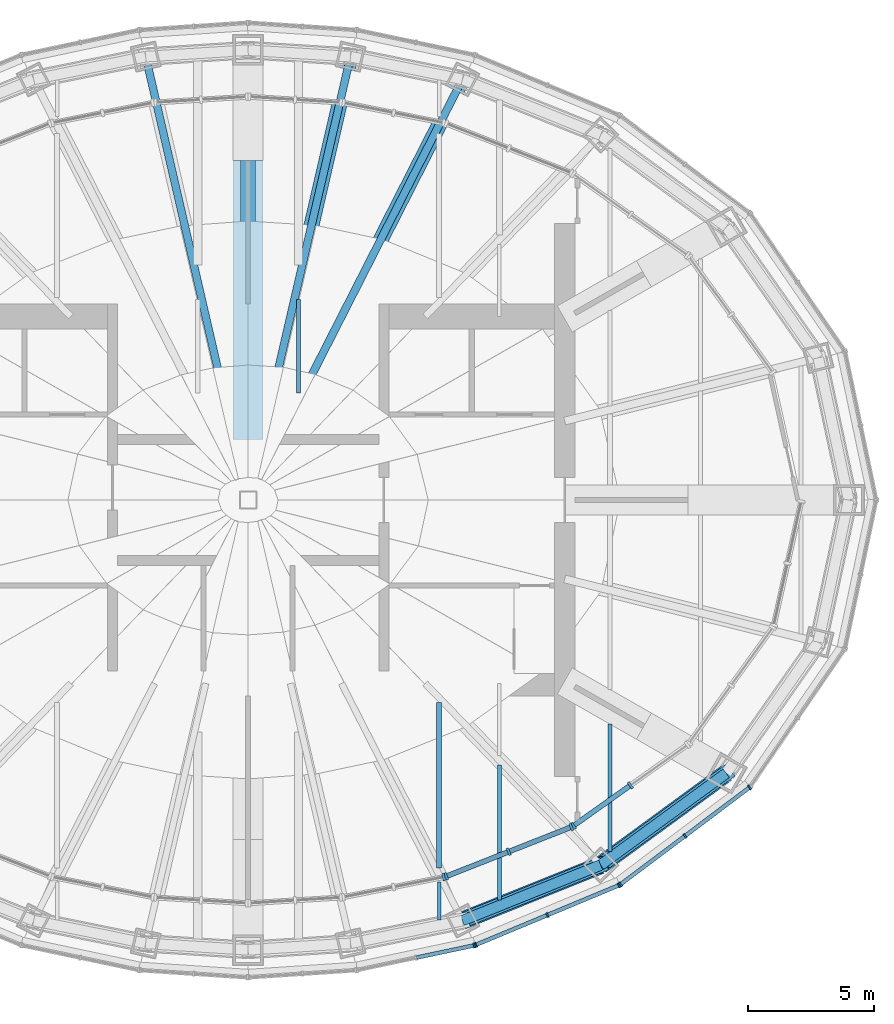
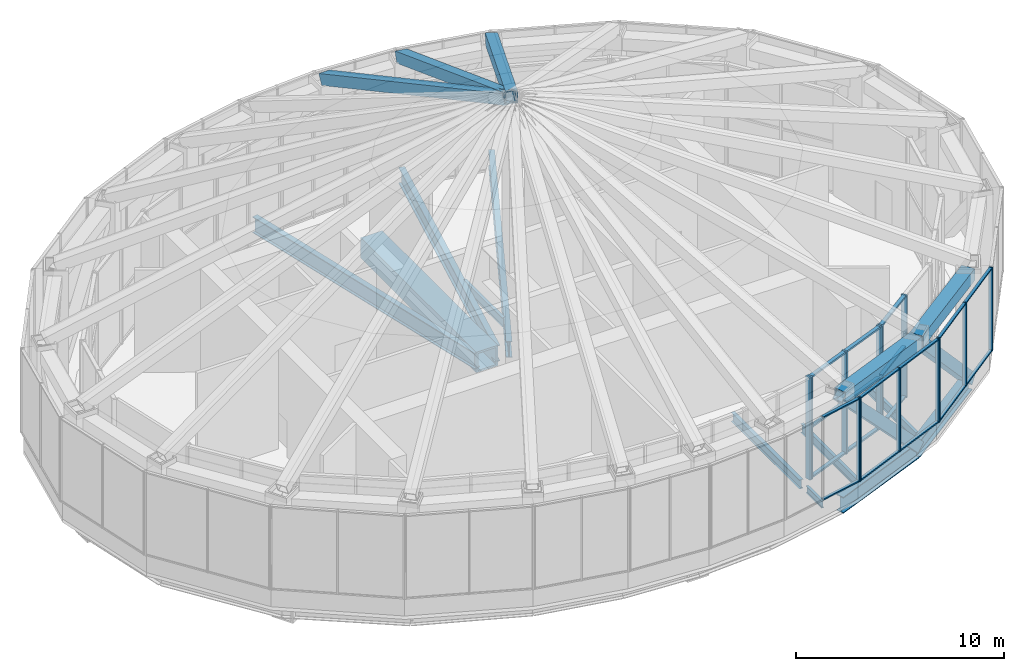
# One storey, part 7 of 21: 37 members, 13 beams, 6 elements without a shape of their own.
"""IFC4 building model written with IfcOpenShell, lengths in metres."""

from ifc_helpers import new_model, si_unit, direction, frame, origin, origin_2d, place, context, subcontext, project, spatial, rectangle, hollow_rectangle, i_section, extrude, material, material_profile, profile_set, type_object, element, aggregate, save


model = new_model("IFC4")

# Units and contexts
model_context = context("Model", 3, precision=1e-05, world=origin(), true_north=direction((0.0, 1.0)))
body_context = subcontext(model_context, "Body", "Model", "MODEL_VIEW")
ifc_project = project(units=[si_unit("LENGTHUNIT", "METRE"), si_unit("AREAUNIT", "SQUARE_METRE"), si_unit("VOLUMEUNIT", "CUBIC_METRE"), si_unit("PLANEANGLEUNIT", "RADIAN"), si_unit("MASSUNIT", "GRAM", prefix="KILO")], contexts=[model_context])

# Site, building, storey
site_placement = place(None, origin())
site = spatial("IfcSite", under=ifc_project, at=site_placement, CompositionType="ELEMENT")
building_placement = place(site_placement, origin())
building = spatial("IfcBuilding", under=site, at=building_placement, Name="Lantaw Convention Tower", CompositionType="ELEMENT")
storey_placement = place(building_placement, frame((0.0, 0.0, 290.39990234375)))
storey = spatial("IfcBuildingStorey", under=building, at=storey_placement, Name="L67", CompositionType="ELEMENT", Elevation=290.39990234375)

# Beams
ifc_material_1 = material(Name="Steel ASTM A992", Category="steel")
ifc_material_profile_1 = material_profile(ifc_material_1, i_section(OverallWidth=0.424072265625, OverallDepth=0.947509765625, WebThickness=0.02392578125, FlangeThickness=0.042724609375, FilletRadius=0.012451171875, at=origin_2d()), Name="W36X302")
ifc_profile_set_1 = profile_set([ifc_material_profile_1], Name="Steel ASTM A992")
beam_type_1 = type_object("IfcBeamType", Name="Beam BC W36X302", PredefinedType="SPANDREL", material=ifc_profile_set_1)
beam_1_placement = place(storey_placement, frame((8.5283203125, -16.73779296875, -0.673583984375), z_axis=(0.927779110974, 0.373129898615, 0.0), x_axis=(-0.373129898615, 0.927779110974, 0.0)))
element("IfcBeam", 1, at=beam_1_placement, inside=storey, type_object=beam_type_1, Name="Belt truss chord 21", PredefinedType="SPANDREL", context=body_context, shape_type="SweptSolid", body=[
    extrude(i_section(OverallWidth=0.424072265625, OverallDepth=0.947509765625, WebThickness=0.02392578125, FlangeThickness=0.042724609375, FilletRadius=0.012451171875, at=origin_2d()), origin(), (0.0, 0.0, 1.0), 5.92724609375),
])
beam_2_placement = place(storey_placement, frame((14.027587890625, -14.526123046875, -0.673583984375), z_axis=(0.807371616826, 0.59004328006, 0.0), x_axis=(-0.59004328006, 0.807371616826, 0.0)))
element("IfcBeam", 2, at=beam_2_placement, inside=storey, type_object=beam_type_1, Name="Belt truss chord 22", PredefinedType="SPANDREL", context=body_context, shape_type="SweptSolid", body=[
    extrude(i_section(OverallWidth=0.424072265625, OverallDepth=0.947509765625, WebThickness=0.02392578125, FlangeThickness=0.042724609375, FilletRadius=0.012451171875, at=origin_2d()), origin(), (0.0, 0.0, 1.0), 6.192138671875),
])
ifc_material_profile_2 = material_profile(ifc_material_1, i_section(OverallWidth=0.307373046875, OverallDepth=0.9423828125, WebThickness=0.022216796875, FlangeThickness=0.039794921875, FilletRadius=0.0126953125, at=origin_2d()), Name="W36X232")
ifc_profile_set_2 = profile_set([ifc_material_profile_2], Name="Steel ASTM A992")
beam_type_2 = type_object("IfcBeamType", Name="Beam G W36X232", PredefinedType="BEAM", material=ifc_profile_set_2)
beam_3_placement = place(storey_placement, frame((1.222900390625, 2.39990234375, -0.671142578125), z_axis=(0.453985554173, 0.891009044063, 0.0), x_axis=(-0.891009044063, 0.453985554173, 0.0)))
element("IfcBeam", 3, at=beam_3_placement, inside=storey, type_object=beam_type_2, Name="Floor girder on ray 5", PredefinedType="BEAM", context=body_context, shape_type="SweptSolid", body=[
    extrude(i_section(OverallWidth=0.307373046875, OverallDepth=0.9423828125, WebThickness=0.022216796875, FlangeThickness=0.039794921875, FilletRadius=0.0126953125, at=origin_2d()), origin(), (0.0, 0.0, 1.0), 16.091796875),
])
for number, where, z_axis, x_axis, name in (
    (4, (0.55419921875, 2.39990234375, -0.671142578125), (0.22493929298, 0.974372780035, 0.0), (-0.974372780035, 0.22493929298, 0.0), "Floor girder on ray 6"),
    (5, (-0.55419921875, 2.39990234375, -0.671142578125), (-0.22493929298, 0.974372780035, 0.0), (-0.974372780035, -0.22493929298, 0.0), "Floor girder on ray 8"),
):
    element("IfcBeam", number, at=place(storey_placement, frame(where, z_axis=z_axis, x_axis=x_axis)), inside=storey, type_object=beam_type_2, Name=name, PredefinedType="BEAM", context=body_context, shape_type="SweptSolid", body=[
        extrude(i_section(OverallWidth=0.307373046875, OverallDepth=0.9423828125, WebThickness=0.022216796875, FlangeThickness=0.039794921875, FilletRadius=0.0126953125, at=origin_2d()), origin(), (0.0, 0.0, 1.0), 15.643310546875),
    ])
ifc_material_profile_3 = material_profile(ifc_material_1, i_section(OverallWidth=0.140380859375, OverallDepth=0.40380859375, WebThickness=0.007080078125, FlangeThickness=0.01123046875, FilletRadius=0.01025390625, at=origin_2d()), Name="W16X31")
ifc_profile_set_3 = profile_set([ifc_material_profile_3], Name="Steel ASTM A992")
beam_type_3 = type_object("IfcBeamType", Name="Beam J W16X31", PredefinedType="JOIST", material=ifc_profile_set_3)
beam_4_placement = place(storey_placement, frame((7.60009765625, -16.7099609375, -0.40185546875), z_axis=(0.0, 1.0, 0.0), x_axis=(-1.0, 0.0, 0.0)))
element("IfcBeam", 6, at=beam_4_placement, inside=storey, type_object=beam_type_3, Name="Floor joist", PredefinedType="JOIST", context=body_context, shape_type="SweptSolid", body=[
    extrude(i_section(OverallWidth=0.140380859375, OverallDepth=0.40380859375, WebThickness=0.007080078125, FlangeThickness=0.01123046875, FilletRadius=0.01025390625, at=origin_2d()), origin(), (0.0, 0.0, 1.0), 1.514404296875),
])
ifc_material_profile_4 = material_profile(ifc_material_1, i_section(OverallWidth=0.1650390625, OverallDepth=0.52587890625, WebThickness=0.0087890625, FlangeThickness=0.011474609375, FilletRadius=0.0126953125, at=origin_2d()), Name="W21X44")
ifc_profile_set_4 = profile_set([ifc_material_profile_4], Name="Steel ASTM A992")
beam_type_4 = type_object("IfcBeamType", Name="Beam J W21X44", PredefinedType="JOIST", material=ifc_profile_set_4)
beam_5_placement = place(storey_placement, frame((10.0, -15.91748046875, -0.462890625), z_axis=(0.0, 1.0, 0.0), x_axis=(-1.0, 0.0, 0.0)))
element("IfcBeam", 7, at=beam_5_placement, inside=storey, type_object=beam_type_4, Name="Floor joist", PredefinedType="JOIST", context=body_context, shape_type="SweptSolid", body=[
    extrude(i_section(OverallWidth=0.1650390625, OverallDepth=0.52587890625, WebThickness=0.0087890625, FlangeThickness=0.011474609375, FilletRadius=0.0126953125, at=origin_2d()), origin(), (0.0, 0.0, 1.0), 5.3701171875),
])
ifc_material_profile_5 = material_profile(ifc_material_1, i_section(OverallWidth=0.165771484375, OverallDepth=0.5283203125, WebThickness=0.009765625, FlangeThickness=0.013671875, FilletRadius=0.012939453125, at=origin_2d()), Name="W21X50")
ifc_profile_set_5 = profile_set([ifc_material_profile_5], Name="Steel ASTM A992")
beam_type_5 = type_object("IfcBeamType", Name="Beam J W21X50", PredefinedType="JOIST", material=ifc_profile_set_5)
beam_6_placement = place(storey_placement, frame((2.0, 4.263671875, -0.464111328125), z_axis=(0.0, 1.0, 0.0), x_axis=(-1.0, 0.0, 0.0)))
element("IfcBeam", 8, at=beam_6_placement, inside=storey, type_object=beam_type_5, Name="Floor joist", PredefinedType="JOIST", context=body_context, shape_type="SweptSolid", body=[
    extrude(i_section(OverallWidth=0.165771484375, OverallDepth=0.5283203125, WebThickness=0.009765625, FlangeThickness=0.013671875, FilletRadius=0.012939453125, at=origin_2d()), origin(), (0.0, 0.0, 1.0), 3.716064453125),
])
beam_7_placement = place(storey_placement, frame((14.39990234375, -13.9912109375, -0.464111328125), z_axis=(0.0, 1.0, 0.0), x_axis=(-1.0, 0.0, 0.0)))
element("IfcBeam", 9, at=beam_7_placement, inside=storey, type_object=beam_type_5, Name="Floor joist", PredefinedType="JOIST", context=body_context, shape_type="SweptSolid", body=[
    extrude(i_section(OverallWidth=0.165771484375, OverallDepth=0.5283203125, WebThickness=0.009765625, FlangeThickness=0.013671875, FilletRadius=0.012939453125, at=origin_2d()), origin(), (0.0, 0.0, 1.0), 5.071533203125),
])
ifc_material_profile_6 = material_profile(ifc_material_1, i_section(OverallWidth=0.209228515625, OverallDepth=0.533447265625, WebThickness=0.01025390625, FlangeThickness=0.015625, FilletRadius=0.012939453125, at=origin_2d()), Name="W21X62")
ifc_profile_set_6 = profile_set([ifc_material_profile_6], Name="Steel ASTM A992")
beam_type_6 = type_object("IfcBeamType", Name="Beam J W21X62", PredefinedType="JOIST", material=ifc_profile_set_6)
beam_8_placement = place(storey_placement, frame((7.60009765625, -14.635986328125, -0.466552734375), z_axis=(0.0, 1.0, 0.0), x_axis=(-1.0, 0.0, 0.0)))
element("IfcBeam", 10, at=beam_8_placement, inside=storey, type_object=beam_type_6, Name="Floor joist", PredefinedType="JOIST", context=body_context, shape_type="SweptSolid", body=[
    extrude(i_section(OverallWidth=0.209228515625, OverallDepth=0.533447265625, WebThickness=0.01025390625, FlangeThickness=0.015625, FilletRadius=0.012939453125, at=origin_2d()), origin(), (0.0, 0.0, 1.0), 6.573974609375),
])
ifc_material_2 = material(Name="Steel EN 10025-3 S460N", Category="steel")
ifc_material_profile_7 = material_profile(ifc_material_2, hollow_rectangle(XDim=1.199951171875, YDim=1.199951171875, WallThickness=0.10009765625, at=origin_2d()), Name="BOX1200X100")
ifc_profile_set_7 = profile_set([ifc_material_profile_7], Name="Steel EN 10025-3 S460N")
beam_type_7 = type_object("IfcBeamType", Name="Beam OC BOX1200X100", PredefinedType="BEAM", material=ifc_profile_set_7)
beam_9_placement = place(storey_placement, frame((0.0, 2.39990234375, -0.7998046875), z_axis=(0.0, 1.0, 0.0), x_axis=(-1.0, 0.0, 0.0)))
element("IfcBeam", 11, at=beam_9_placement, inside=storey, type_object=beam_type_7, Name="Outrigger chord on ray 7", PredefinedType="BEAM", context=body_context, shape_type="SweptSolid", body=[
    extrude(hollow_rectangle(XDim=1.199951171875, YDim=1.199951171875, WallThickness=0.10009765625, at=origin_2d()), origin(), (0.0, 0.0, 1.0), 11.10009765625),
])
ifc_material_3 = material(Name="Steel ASTM A572 Grade 50", Category="steel")
ifc_material_profile_8 = material_profile(ifc_material_3, hollow_rectangle(XDim=0.699951171875, YDim=0.699951171875, WallThickness=0.0400390625, at=origin_2d()), Name="BOX700X40")
ifc_profile_set_8 = profile_set([ifc_material_profile_8], Name="Steel ASTM A572 Grade 50")
beam_type_8 = type_object("IfcBeamType", Name="Beam crown ring BOX700X40", PredefinedType="SPANDREL", material=ifc_profile_set_8)
beam_10_placement = place(storey_placement, frame((8.5283203125, -16.73779296875, 5.650146484375), z_axis=(0.927779110974, 0.373129898615, 0.0), x_axis=(-0.373129898615, 0.927779110974, 0.0)))
element("IfcBeam", 12, at=beam_10_placement, inside=storey, type_object=beam_type_8, Name="Crown ring beam", PredefinedType="SPANDREL", context=body_context, shape_type="SweptSolid", body=[
    extrude(hollow_rectangle(XDim=0.699951171875, YDim=0.699951171875, WallThickness=0.0400390625, at=origin_2d()), origin(), (0.0, 0.0, 1.0), 5.92724609375),
])
beam_11_placement = place(storey_placement, frame((14.027587890625, -14.526123046875, 5.650146484375), z_axis=(0.807371616826, 0.59004328006, 0.0), x_axis=(-0.59004328006, 0.807371616826, 0.0)))
element("IfcBeam", 13, at=beam_11_placement, inside=storey, type_object=beam_type_8, Name="Crown ring beam", PredefinedType="SPANDREL", context=body_context, shape_type="SweptSolid", body=[
    extrude(hollow_rectangle(XDim=0.699951171875, YDim=0.699951171875, WallThickness=0.0400390625, at=origin_2d()), origin(), (0.0, 0.0, 1.0), 6.192138671875),
])

# Curtain wall, member
ifc_material_4 = material(Name="Aluminium framed curtain wall", Category="aluminium")
curtain_wall_type_1 = type_object("IfcCurtainWallType", Name="LANTERN glazing curtain wall, pale aluminium", PredefinedType="USERDEFINED", material=ifc_material_4)
curtain_wall_1_placement = place(storey_placement, origin())
curtain_wall_1 = element("IfcCurtainWall", 14, at=curtain_wall_1_placement, inside=storey, type_object=curtain_wall_type_1, Name="LANTERN glazing curtain wall, pale aluminium L67", ObjectType="LANTERN GLAZING", PredefinedType="USERDEFINED")
ifc_material_5 = material(Name="Aluminium 6063-T6", Category="aluminium")
ifc_material_profile_9 = material_profile(ifc_material_5, rectangle(XDim=0.300048828125, YDim=0.10009765625, at=origin_2d()), Name="CW-LN mullion 100x300")
ifc_profile_set_9 = profile_set([ifc_material_profile_9], Name="Aluminium 6063-T6")
member_type_1 = type_object("IfcMemberType", Name="CW-LN mullion 100x300", PredefinedType="MULLION", material=ifc_profile_set_9)
member_1_placement = place(storey_placement, frame((7.787353515625, -15.004150390625, 0.0), z_axis=(0.0, 0.0, 1.0), x_axis=(-0.196367228305, 0.980530423622, 0.0)))
member_1 = element("IfcMember", 15, at=member_1_placement, type_object=member_type_1, Name="CW-LN mullion 3", PredefinedType="MULLION", context=body_context, shape_type="SweptSolid", body=[
    extrude(rectangle(XDim=0.300048828125, YDim=0.10009765625, at=origin_2d()), origin(), (0.0, 0.0, 1.0), 6.0),
])
aggregate(curtain_wall_1, [member_1])

# Curtain wall, members
curtain_wall_2_placement = place(storey_placement, origin())
curtain_wall_2 = element("IfcCurtainWall", 16, at=curtain_wall_2_placement, inside=storey, type_object=curtain_wall_type_1, Name="LANTERN glazing curtain wall, pale aluminium L67", ObjectType="LANTERN GLAZING", PredefinedType="USERDEFINED")
member_2_placement = place(storey_placement, frame((7.883056640625, -14.97607421875, 0.0), z_axis=(0.0, 0.0, 1.0), x_axis=(-0.366801957358, 0.930299050885, 0.0)))
member_2 = element("IfcMember", 17, at=member_2_placement, type_object=member_type_1, Name="CW-LN mullion 1", PredefinedType="MULLION", context=body_context, shape_type="SweptSolid", body=[
    extrude(rectangle(XDim=0.300048828125, YDim=0.10009765625, at=origin_2d()), origin(), (0.0, 0.0, 1.0), 6.0),
])
member_3_placement = place(storey_placement, frame((10.37109375, -13.994873046875, 0.0), z_axis=(0.0, 0.0, 1.0), x_axis=(-0.366801957358, 0.930299050885, 0.0)))
member_3 = element("IfcMember", 18, at=member_3_placement, type_object=member_type_1, Name="CW-LN mullion 2", PredefinedType="MULLION", context=body_context, shape_type="SweptSolid", body=[
    extrude(rectangle(XDim=0.300048828125, YDim=0.10009765625, at=origin_2d()), origin(), (0.0, 0.0, 1.0), 6.0),
])
member_4_placement = place(storey_placement, frame((12.859375, -13.013916015625, 0.0), z_axis=(0.0, 0.0, 1.0), x_axis=(-0.366801957358, 0.930299050885, 0.0)))
member_4 = element("IfcMember", 19, at=member_4_placement, type_object=member_type_1, Name="CW-LN mullion 3", PredefinedType="MULLION", context=body_context, shape_type="SweptSolid", body=[
    extrude(rectangle(XDim=0.300048828125, YDim=0.10009765625, at=origin_2d()), origin(), (0.0, 0.0, 1.0), 6.0),
])

curtain_wall_3_placement = place(storey_placement, origin())
curtain_wall_3 = element("IfcCurtainWall", 20, at=curtain_wall_3_placement, inside=storey, type_object=curtain_wall_type_1, Name="LANTERN glazing curtain wall, pale aluminium L67", ObjectType="LANTERN GLAZING", PredefinedType="USERDEFINED")
member_5_placement = place(storey_placement, frame((12.946533203125, -12.966552734375, 0.0), z_axis=(0.0, 0.0, 1.0), x_axis=(-0.579683901346, 0.814841441337, 0.0)))
member_5 = element("IfcMember", 21, at=member_5_placement, type_object=member_type_1, Name="CW-LN mullion 1", PredefinedType="MULLION", context=body_context, shape_type="SweptSolid", body=[
    extrude(rectangle(XDim=0.300048828125, YDim=0.10009765625, at=origin_2d()), origin(), (0.0, 0.0, 1.0), 6.0),
])
member_6_placement = place(storey_placement, frame((15.212158203125, -11.354736328125, 0.0), z_axis=(0.0, 0.0, 1.0), x_axis=(-0.579683901346, 0.814841441337, 0.0)))
member_6 = element("IfcMember", 22, at=member_6_placement, type_object=member_type_1, Name="CW-LN mullion 2", PredefinedType="MULLION", context=body_context, shape_type="SweptSolid", body=[
    extrude(rectangle(XDim=0.300048828125, YDim=0.10009765625, at=origin_2d()), origin(), (0.0, 0.0, 1.0), 6.0),
])

# Member
ifc_material_profile_10 = material_profile(ifc_material_5, rectangle(XDim=0.199951171875, YDim=0.10009765625, at=origin_2d()), Name="CW-LN transom 100x200")
ifc_profile_set_10 = profile_set([ifc_material_profile_10], Name="Aluminium 6063-T6")
member_type_2 = type_object("IfcMemberType", Name="CW-LN transom 100x200", PredefinedType="USERDEFINED", material=ifc_profile_set_10)
member_7_placement = place(storey_placement, frame((7.929443359375, -14.95751953125, 0.050048828125), z_axis=(0.930309390119, 0.366775733461, 0.0), x_axis=(-0.366775733461, 0.930309390119, 0.0)))
member_7 = element("IfcMember", 23, at=member_7_placement, type_object=member_type_2, Name="CW-LN transom 1.1", ObjectType="TRANSOM", PredefinedType="USERDEFINED", context=body_context, shape_type="SweptSolid", body=[
    extrude(rectangle(XDim=0.199951171875, YDim=0.10009765625, at=origin_2d()), origin(), (0.0, 0.0, 1.0), 2.57470703125),
])

member_8_placement = place(storey_placement, frame((7.929443359375, -14.95751953125, 3.0), z_axis=(0.930309390119, 0.366775733461, 0.0), x_axis=(-0.366775733461, 0.930309390119, 0.0)))
member_8 = element("IfcMember", 24, at=member_8_placement, type_object=member_type_2, Name="CW-LN transom 1.2", ObjectType="TRANSOM", PredefinedType="USERDEFINED", context=body_context, shape_type="SweptSolid", body=[
    extrude(rectangle(XDim=0.199951171875, YDim=0.10009765625, at=origin_2d()), origin(), (0.0, 0.0, 1.0), 2.57470703125),
])

member_9_placement = place(storey_placement, frame((7.929443359375, -14.95751953125, 5.9501953125), z_axis=(0.930309390119, 0.366775733461, 0.0), x_axis=(-0.366775733461, 0.930309390119, 0.0)))
member_9 = element("IfcMember", 25, at=member_9_placement, type_object=member_type_2, Name="CW-LN transom 1.3", ObjectType="TRANSOM", PredefinedType="USERDEFINED", context=body_context, shape_type="SweptSolid", body=[
    extrude(rectangle(XDim=0.199951171875, YDim=0.10009765625, at=origin_2d()), origin(), (0.0, 0.0, 1.0), 2.57470703125),
])

member_10_placement = place(storey_placement, frame((10.417724609375, -13.9765625, 0.050048828125), z_axis=(0.930296632408, 0.366808091147, 0.0), x_axis=(-0.366808091147, 0.930296632408, 0.0)))
member_10 = element("IfcMember", 26, at=member_10_placement, type_object=member_type_2, Name="CW-LN transom 2.1", ObjectType="TRANSOM", PredefinedType="USERDEFINED", context=body_context, shape_type="SweptSolid", body=[
    extrude(rectangle(XDim=0.199951171875, YDim=0.10009765625, at=origin_2d()), origin(), (0.0, 0.0, 1.0), 2.574462890625),
])

member_11_placement = place(storey_placement, frame((10.417724609375, -13.9765625, 3.0), z_axis=(0.930296632408, 0.366808091147, 0.0), x_axis=(-0.366808091147, 0.930296632408, 0.0)))
member_11 = element("IfcMember", 27, at=member_11_placement, type_object=member_type_2, Name="CW-LN transom 2.2", ObjectType="TRANSOM", PredefinedType="USERDEFINED", context=body_context, shape_type="SweptSolid", body=[
    extrude(rectangle(XDim=0.199951171875, YDim=0.10009765625, at=origin_2d()), origin(), (0.0, 0.0, 1.0), 2.574462890625),
])

member_12_placement = place(storey_placement, frame((10.417724609375, -13.9765625, 5.9501953125), z_axis=(0.930296632408, 0.366808091147, 0.0), x_axis=(-0.366808091147, 0.930296632408, 0.0)))
member_12 = element("IfcMember", 28, at=member_12_placement, type_object=member_type_2, Name="CW-LN transom 2.3", ObjectType="TRANSOM", PredefinedType="USERDEFINED", context=body_context, shape_type="SweptSolid", body=[
    extrude(rectangle(XDim=0.199951171875, YDim=0.10009765625, at=origin_2d()), origin(), (0.0, 0.0, 1.0), 2.574462890625),
])

aggregate(curtain_wall_2, [member_2, member_3, member_4, member_7, member_8, member_9, member_10, member_11, member_12])

member_13_placement = place(storey_placement, frame((12.9873046875, -12.9375, 0.050048828125), z_axis=(0.814852067311, 0.579668964495, 0.0), x_axis=(-0.579668964495, 0.814852067311, 0.0)))
member_13 = element("IfcMember", 29, at=member_13_placement, type_object=member_type_2, Name="CW-LN transom 1.1", ObjectType="TRANSOM", PredefinedType="USERDEFINED", context=body_context, shape_type="SweptSolid", body=[
    extrude(rectangle(XDim=0.199951171875, YDim=0.10009765625, at=origin_2d()), origin(), (0.0, 0.0, 1.0), 2.680419921875),
])

member_14_placement = place(storey_placement, frame((12.9873046875, -12.9375, 3.0), z_axis=(0.814852067311, 0.579668964495, 0.0), x_axis=(-0.579668964495, 0.814852067311, 0.0)))
member_14 = element("IfcMember", 30, at=member_14_placement, type_object=member_type_2, Name="CW-LN transom 1.2", ObjectType="TRANSOM", PredefinedType="USERDEFINED", context=body_context, shape_type="SweptSolid", body=[
    extrude(rectangle(XDim=0.199951171875, YDim=0.10009765625, at=origin_2d()), origin(), (0.0, 0.0, 1.0), 2.680419921875),
])

member_15_placement = place(storey_placement, frame((12.9873046875, -12.9375, 5.9501953125), z_axis=(0.814852067311, 0.579668964495, 0.0), x_axis=(-0.579668964495, 0.814852067311, 0.0)))
member_15 = element("IfcMember", 31, at=member_15_placement, type_object=member_type_2, Name="CW-LN transom 1.3", ObjectType="TRANSOM", PredefinedType="USERDEFINED", context=body_context, shape_type="SweptSolid", body=[
    extrude(rectangle(XDim=0.199951171875, YDim=0.10009765625, at=origin_2d()), origin(), (0.0, 0.0, 1.0), 2.680419921875),
])

aggregate(curtain_wall_3, [member_5, member_6, member_13, member_14, member_15])

# Curtain wall, member
curtain_wall_type_2 = type_object("IfcCurtainWallType", Name="Plant floor louvre wall, pale aluminium", PredefinedType="USERDEFINED", material=ifc_material_4)
curtain_wall_4_placement = place(storey_placement, origin())
curtain_wall_4 = element("IfcCurtainWall", 32, at=curtain_wall_4_placement, inside=storey, type_object=curtain_wall_type_2, Name="Plant floor louvre wall, pale aluminium L67", ObjectType="LOUVRE WALL", PredefinedType="USERDEFINED")
ifc_material_profile_11 = material_profile(ifc_material_5, rectangle(XDim=0.199951171875, YDim=0.070068359375, at=origin_2d()), Name="CW-LV mullion 70x200")
ifc_profile_set_11 = profile_set([ifc_material_profile_11], Name="Aluminium 6063-T6")
member_type_3 = type_object("IfcMemberType", Name="CW-LV mullion 70x200", PredefinedType="MULLION", material=ifc_profile_set_11)
member_16_placement = place(storey_placement, frame((8.993408203125, -17.72509765625, 1.10009765625), z_axis=(0.0, 0.0, 1.0), x_axis=(-0.207039911975, 0.978332497083, 0.0)))
member_16 = element("IfcMember", 33, at=member_16_placement, type_object=member_type_3, Name="CW-LV mullion 3", PredefinedType="MULLION", context=body_context, shape_type="SweptSolid", body=[
    extrude(rectangle(XDim=0.199951171875, YDim=0.070068359375, at=origin_2d()), origin(), (0.0, 0.0, 1.0), 4.89990234375),
])

# Curtain wall, members
curtain_wall_5_placement = place(storey_placement, origin())
curtain_wall_5 = element("IfcCurtainWall", 34, at=curtain_wall_5_placement, inside=storey, type_object=curtain_wall_type_2, Name="Plant floor louvre wall, pale aluminium L67", ObjectType="LOUVRE WALL", PredefinedType="USERDEFINED")
member_17_placement = place(storey_placement, frame((9.06005859375, -17.70458984375, 1.10009765625), z_axis=(0.0, 0.0, 1.0), x_axis=(-0.384459697924, 0.923141777124, 0.0)))
member_17 = element("IfcMember", 35, at=member_17_placement, type_object=member_type_3, Name="CW-LV mullion 1", PredefinedType="MULLION", context=body_context, shape_type="SweptSolid", body=[
    extrude(rectangle(XDim=0.199951171875, YDim=0.070068359375, at=origin_2d()), origin(), (0.0, 0.0, 1.0), 4.89990234375),
])
member_18_placement = place(storey_placement, frame((11.90966796875, -16.517578125, 1.10009765625), z_axis=(0.0, 0.0, 1.0), x_axis=(-0.384459697924, 0.923141777124, 0.0)))
member_18 = element("IfcMember", 36, at=member_18_placement, type_object=member_type_3, Name="CW-LV mullion 2", PredefinedType="MULLION", context=body_context, shape_type="SweptSolid", body=[
    extrude(rectangle(XDim=0.199951171875, YDim=0.070068359375, at=origin_2d()), origin(), (0.0, 0.0, 1.0), 4.89990234375),
])
member_19_placement = place(storey_placement, frame((14.759521484375, -15.330810546875, 1.10009765625), z_axis=(0.0, 0.0, 1.0), x_axis=(-0.384459697924, 0.923141777124, 0.0)))
member_19 = element("IfcMember", 37, at=member_19_placement, type_object=member_type_3, Name="CW-LV mullion 3", PredefinedType="MULLION", context=body_context, shape_type="SweptSolid", body=[
    extrude(rectangle(XDim=0.199951171875, YDim=0.070068359375, at=origin_2d()), origin(), (0.0, 0.0, 1.0), 4.89990234375),
])

curtain_wall_6_placement = place(storey_placement, origin())
curtain_wall_6 = element("IfcCurtainWall", 38, at=curtain_wall_6_placement, inside=storey, type_object=curtain_wall_type_2, Name="Plant floor louvre wall, pale aluminium L67", ObjectType="LOUVRE WALL", PredefinedType="USERDEFINED")
member_20_placement = place(storey_placement, frame((14.81982421875, -15.29638671875, 1.10009765625), z_axis=(0.0, 0.0, 1.0), x_axis=(-0.600642756762, 0.799517528732, 0.0)))
member_20 = element("IfcMember", 39, at=member_20_placement, type_object=member_type_3, Name="CW-LV mullion 1", PredefinedType="MULLION", context=body_context, shape_type="SweptSolid", body=[
    extrude(rectangle(XDim=0.199951171875, YDim=0.070068359375, at=origin_2d()), origin(), (0.0, 0.0, 1.0), 4.89990234375),
])
member_21_placement = place(storey_placement, frame((17.386962890625, -13.367919921875, 1.10009765625), z_axis=(0.0, 0.0, 1.0), x_axis=(-0.600642756762, 0.799517528732, 0.0)))
member_21 = element("IfcMember", 40, at=member_21_placement, type_object=member_type_3, Name="CW-LV mullion 2", PredefinedType="MULLION", context=body_context, shape_type="SweptSolid", body=[
    extrude(rectangle(XDim=0.199951171875, YDim=0.070068359375, at=origin_2d()), origin(), (0.0, 0.0, 1.0), 4.89990234375),
])
member_22_placement = place(storey_placement, frame((19.953857421875, -11.439208984375, 1.10009765625), z_axis=(0.0, 0.0, 1.0), x_axis=(-0.600642756762, 0.799517528732, 0.0)))
member_22 = element("IfcMember", 41, at=member_22_placement, type_object=member_type_3, Name="CW-LV mullion 3", PredefinedType="MULLION", context=body_context, shape_type="SweptSolid", body=[
    extrude(rectangle(XDim=0.199951171875, YDim=0.070068359375, at=origin_2d()), origin(), (0.0, 0.0, 1.0), 4.89990234375),
])

# Member
ifc_material_profile_12 = material_profile(ifc_material_5, rectangle(XDim=0.159912109375, YDim=0.070068359375, at=origin_2d()), Name="CW-LV transom 70x160")
ifc_profile_set_12 = profile_set([ifc_material_profile_12], Name="Aluminium 6063-T6")
member_type_4 = type_object("IfcMemberType", Name="CW-LV transom 70x160", PredefinedType="USERDEFINED", material=ifc_profile_set_12)
member_23_placement = place(storey_placement, frame((6.708251953125, -18.208740234375, 1.135009765625), z_axis=(0.978336479598, 0.207021092375, 0.0), x_axis=(-0.207021092375, 0.978336479598, 0.0)))
member_23 = element("IfcMember", 42, at=member_23_placement, type_object=member_type_4, Name="CW-LV transom 2.1", ObjectType="TRANSOM", PredefinedType="USERDEFINED", context=body_context, shape_type="SweptSolid", body=[
    extrude(rectangle(XDim=0.159912109375, YDim=0.070068359375, at=origin_2d()), origin(), (0.0, 0.0, 1.0), 2.30078125),
])

member_24_placement = place(storey_placement, frame((6.708251953125, -18.208740234375, 5.965087890625), z_axis=(0.978336479598, 0.207021092375, 0.0), x_axis=(-0.207021092375, 0.978336479598, 0.0)))
member_24 = element("IfcMember", 43, at=member_24_placement, type_object=member_type_4, Name="CW-LV transom 2.2", ObjectType="TRANSOM", PredefinedType="USERDEFINED", context=body_context, shape_type="SweptSolid", body=[
    extrude(rectangle(XDim=0.159912109375, YDim=0.070068359375, at=origin_2d()), origin(), (0.0, 0.0, 1.0), 2.30078125),
])

aggregate(curtain_wall_4, [member_16, member_23, member_24])

member_25_placement = place(storey_placement, frame((9.09228515625, -17.69091796875, 1.135009765625), z_axis=(0.923143943999, 0.384454494911, 0.0), x_axis=(-0.384454494911, 0.923143943999, 0.0)))
member_25 = element("IfcMember", 44, at=member_25_placement, type_object=member_type_4, Name="CW-LV transom 1.1", ObjectType="TRANSOM", PredefinedType="USERDEFINED", context=body_context, shape_type="SweptSolid", body=[
    extrude(rectangle(XDim=0.159912109375, YDim=0.070068359375, at=origin_2d()), origin(), (0.0, 0.0, 1.0), 3.01708984375),
])

member_26_placement = place(storey_placement, frame((9.09228515625, -17.69091796875, 5.965087890625), z_axis=(0.923143943999, 0.384454494911, 0.0), x_axis=(-0.384454494911, 0.923143943999, 0.0)))
member_26 = element("IfcMember", 45, at=member_26_placement, type_object=member_type_4, Name="CW-LV transom 1.2", ObjectType="TRANSOM", PredefinedType="USERDEFINED", context=body_context, shape_type="SweptSolid", body=[
    extrude(rectangle(XDim=0.159912109375, YDim=0.070068359375, at=origin_2d()), origin(), (0.0, 0.0, 1.0), 3.01708984375),
])

member_27_placement = place(storey_placement, frame((11.942138671875, -16.504150390625, 1.135009765625), z_axis=(0.923143943999, 0.384454494911, 0.0), x_axis=(-0.384454494911, 0.923143943999, 0.0)))
member_27 = element("IfcMember", 46, at=member_27_placement, type_object=member_type_4, Name="CW-LV transom 2.1", ObjectType="TRANSOM", PredefinedType="USERDEFINED", context=body_context, shape_type="SweptSolid", body=[
    extrude(rectangle(XDim=0.159912109375, YDim=0.070068359375, at=origin_2d()), origin(), (0.0, 0.0, 1.0), 3.01708984375),
])

member_28_placement = place(storey_placement, frame((11.942138671875, -16.504150390625, 5.965087890625), z_axis=(0.923143943999, 0.384454494911, 0.0), x_axis=(-0.384454494911, 0.923143943999, 0.0)))
member_28 = element("IfcMember", 47, at=member_28_placement, type_object=member_type_4, Name="CW-LV transom 2.2", ObjectType="TRANSOM", PredefinedType="USERDEFINED", context=body_context, shape_type="SweptSolid", body=[
    extrude(rectangle(XDim=0.159912109375, YDim=0.070068359375, at=origin_2d()), origin(), (0.0, 0.0, 1.0), 3.01708984375),
])

aggregate(curtain_wall_5, [member_17, member_18, member_19, member_25, member_26, member_27, member_28])

member_29_placement = place(storey_placement, frame((14.847900390625, -15.275390625, 1.135009765625), z_axis=(0.799505333284, 0.600658989819, 0.0), x_axis=(-0.600658989819, 0.799505333284, 0.0)))
member_29 = element("IfcMember", 48, at=member_29_placement, type_object=member_type_4, Name="CW-LV transom 1.1", ObjectType="TRANSOM", PredefinedType="USERDEFINED", context=body_context, shape_type="SweptSolid", body=[
    extrude(rectangle(XDim=0.159912109375, YDim=0.070068359375, at=origin_2d()), origin(), (0.0, 0.0, 1.0), 3.140625),
])

member_30_placement = place(storey_placement, frame((14.847900390625, -15.275390625, 5.965087890625), z_axis=(0.799505333284, 0.600658989819, 0.0), x_axis=(-0.600658989819, 0.799505333284, 0.0)))
member_30 = element("IfcMember", 49, at=member_30_placement, type_object=member_type_4, Name="CW-LV transom 1.2", ObjectType="TRANSOM", PredefinedType="USERDEFINED", context=body_context, shape_type="SweptSolid", body=[
    extrude(rectangle(XDim=0.159912109375, YDim=0.070068359375, at=origin_2d()), origin(), (0.0, 0.0, 1.0), 3.140625),
])

member_31_placement = place(storey_placement, frame((17.414794921875, -13.346923828125, 1.135009765625), z_axis=(0.799496049611, 0.600671346626, 0.0), x_axis=(-0.600671346626, 0.799496049611, 0.0)))
member_31 = element("IfcMember", 50, at=member_31_placement, type_object=member_type_4, Name="CW-LV transom 2.1", ObjectType="TRANSOM", PredefinedType="USERDEFINED", context=body_context, shape_type="SweptSolid", body=[
    extrude(rectangle(XDim=0.159912109375, YDim=0.070068359375, at=origin_2d()), origin(), (0.0, 0.0, 1.0), 3.14111328125),
])

member_32_placement = place(storey_placement, frame((17.414794921875, -13.346923828125, 5.965087890625), z_axis=(0.799496049611, 0.600671346626, 0.0), x_axis=(-0.600671346626, 0.799496049611, 0.0)))
member_32 = element("IfcMember", 51, at=member_32_placement, type_object=member_type_4, Name="CW-LV transom 2.2", ObjectType="TRANSOM", PredefinedType="USERDEFINED", context=body_context, shape_type="SweptSolid", body=[
    extrude(rectangle(XDim=0.159912109375, YDim=0.070068359375, at=origin_2d()), origin(), (0.0, 0.0, 1.0), 3.14111328125),
])

aggregate(curtain_wall_6, [member_20, member_21, member_22, member_29, member_30, member_31, member_32])

# Members
ifc_material_profile_13 = material_profile(ifc_material_3, hollow_rectangle(XDim=0.60009765625, YDim=0.60009765625, WallThickness=0.031982421875, at=origin_2d()), Name="BOX600X32")
ifc_profile_set_13 = profile_set([ifc_material_profile_13], Name="Steel ASTM A572 Grade 50")
member_type_5 = type_object("IfcMemberType", Name="Member CR BOX600X32", PredefinedType="BRACE", material=ifc_profile_set_13)
member_33_placement = place(storey_placement, frame((14.027587890625, -14.526123046875, -0.505859375), z_axis=(-0.641130065907, -0.257846715518, 0.722819002162), x_axis=(0.373129898615, -0.927779110974, 0.0)))
element("IfcMember", 52, at=member_33_placement, inside=storey, type_object=member_type_5, Name="Crown ring truss diagonal 21 (upper)", PredefinedType="BRACE", context=body_context, shape_type="SweptSolid", body=[
    extrude(hollow_rectangle(XDim=0.60009765625, YDim=0.60009765625, WallThickness=0.031982421875, at=origin_2d()), origin(), (0.0, 0.0, 1.0), 8.577392578125),
])
member_34_placement = place(storey_placement, frame((19.02685546875, -10.87255859375, -0.505859375), z_axis=(-0.570532803839, -0.416956751939, 0.707558751452), x_axis=(0.59004328006, -0.807371616826, 0.0)))
element("IfcMember", 53, at=member_34_placement, inside=storey, type_object=member_type_5, Name="Crown ring truss diagonal 22 (upper)", PredefinedType="BRACE", context=body_context, shape_type="SweptSolid", body=[
    extrude(hollow_rectangle(XDim=0.60009765625, YDim=0.60009765625, WallThickness=0.031982421875, at=origin_2d()), origin(), (0.0, 0.0, 1.0), 8.762451171875),
])
ifc_material_profile_14 = material_profile(ifc_material_3, hollow_rectangle(XDim=0.60009765625, YDim=0.60009765625, WallThickness=0.031982421875, at=origin_2d()), Name="BOX600X32")
ifc_profile_set_14 = profile_set([ifc_material_profile_14], Name="Steel ASTM A572 Grade 50")
member_type_6 = type_object("IfcMemberType", Name="Member crown rib BOX600X32", PredefinedType="RAFTER", material=ifc_profile_set_14)
member_35_placement = place(storey_placement, frame((8.5283203125, 16.73779296875, 6.300048828125), z_axis=(-0.403784173492, -0.792473282167, 0.457104406334), x_axis=(0.891007038942, -0.453989489476, 0.0)))
element("IfcMember", 54, at=member_35_placement, inside=storey, type_object=member_type_6, Name="Crown rib", PredefinedType="RAFTER", context=body_context, shape_type="SweptSolid", body=[
    extrude(hollow_rectangle(XDim=0.60009765625, YDim=0.60009765625, WallThickness=0.031982421875, at=origin_2d()), origin(), (0.0, 0.0, 1.0), 20.782958984375),
])
member_36_placement = place(storey_placement, frame((4.072998046875, 17.642333984375, 6.300048828125), z_axis=(-0.198492707042, -0.859784412746, 0.470501231507), x_axis=(0.974371099371, -0.224946573014, 0.0)))
element("IfcMember", 55, at=member_36_placement, inside=storey, type_object=member_type_6, Name="Crown rib", PredefinedType="RAFTER", context=body_context, shape_type="SweptSolid", body=[
    extrude(hollow_rectangle(XDim=0.60009765625, YDim=0.60009765625, WallThickness=0.031982421875, at=origin_2d()), origin(), (0.0, 0.0, 1.0), 20.191162109375),
])
member_37_placement = place(storey_placement, frame((0.0, 17.89990234375, 6.300048828125), z_axis=(0.0, -0.880141441699, 0.474711536203), x_axis=(1.0, 0.0, 0.0)))
element("IfcMember", 56, at=member_37_placement, inside=storey, type_object=member_type_6, Name="Crown rib", PredefinedType="RAFTER", context=body_context, shape_type="SweptSolid", body=[
    extrude(hollow_rectangle(XDim=0.60009765625, YDim=0.60009765625, WallThickness=0.031982421875, at=origin_2d()), origin(), (0.0, 0.0, 1.0), 20.01220703125),
])

save(model, "model.ifc")
